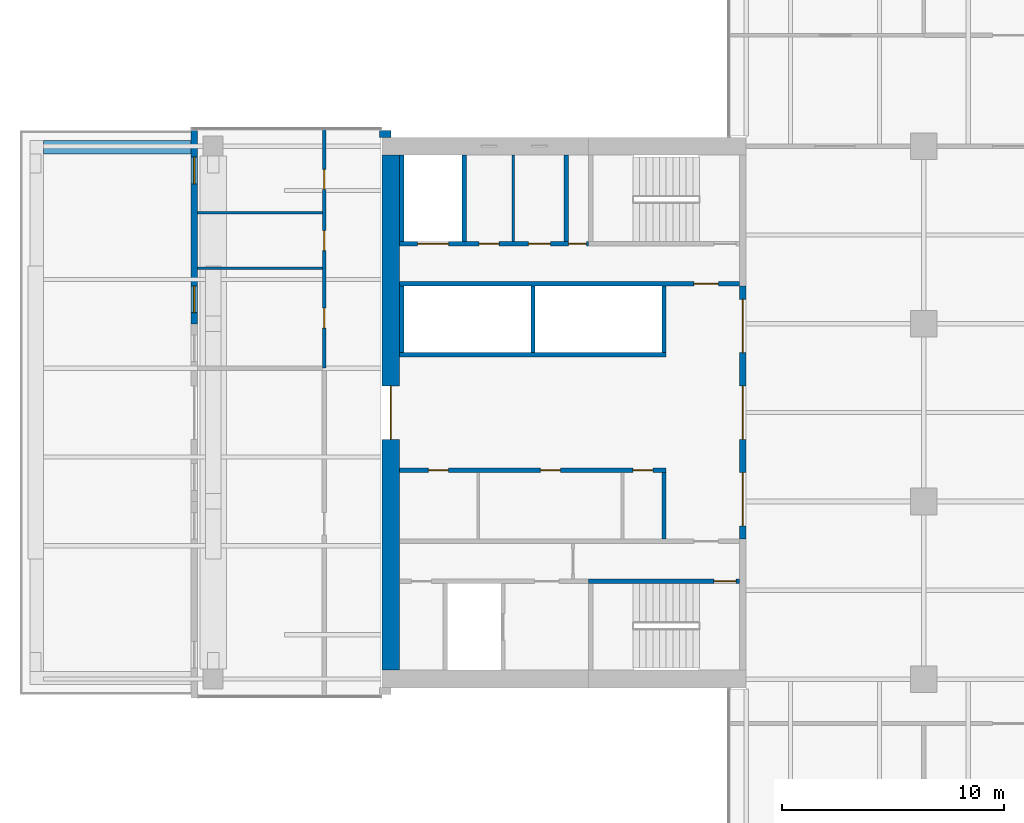
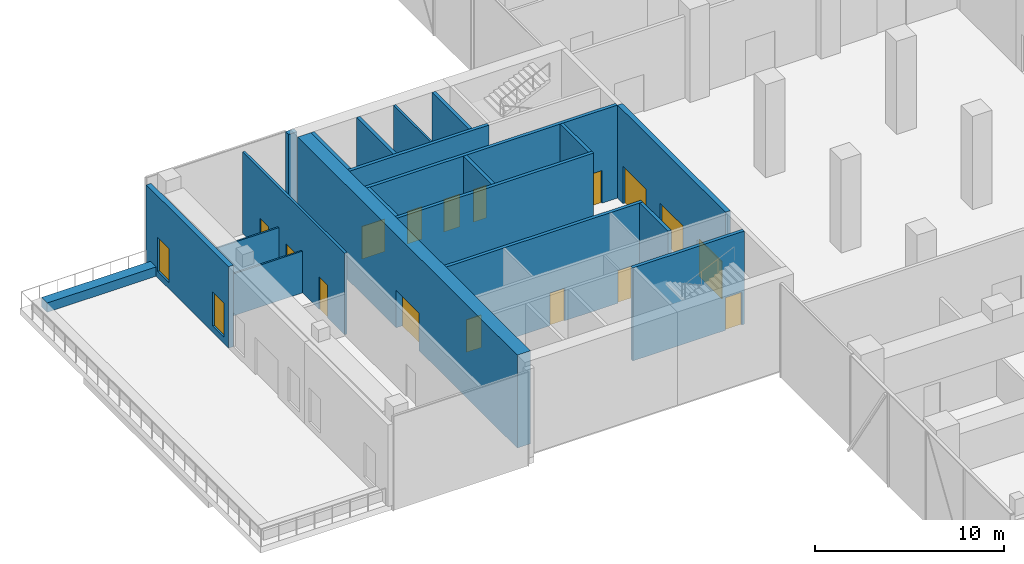
# One storey, part 15 of 23: 21 walls, 16 doors, 2 windows, 18 openings.
"""IFC4 building model written with IfcOpenShell, lengths in metres."""

from ifc_helpers import new_model, si_unit, direction, frame, frame_2d, origin, place, context, subcontext, project, spatial, rectangle, extrude, material, layer, layer_set, type_object, element, fill, save


model = new_model("IFC4")

# Units and contexts
model_context = context("Model", 3, precision=1e-05, world=origin(), true_north=direction((0.0, 1.0)))
body_context = subcontext(model_context, "Body", "Model", "MODEL_VIEW")
ifc_project = project(units=[si_unit("LENGTHUNIT", "METRE"), si_unit("AREAUNIT", "SQUARE_METRE"), si_unit("VOLUMEUNIT", "CUBIC_METRE"), si_unit("PLANEANGLEUNIT", "RADIAN"), si_unit("MASSUNIT", "GRAM", prefix="KILO")], contexts=[model_context])

# Site, building, storey
site_placement = place(None, origin())
site = spatial("IfcSite", under=ifc_project, at=site_placement, CompositionType="ELEMENT")
building_placement = place(site_placement, origin())
building = spatial("IfcBuilding", under=site, at=building_placement, Name="Crosswind Convention Tower", CompositionType="ELEMENT")
storey_placement = place(building_placement, frame((0.0, 0.0, 47.5)))
storey = spatial("IfcBuildingStorey", under=building, at=storey_placement, Name="L06", CompositionType="ELEMENT", Elevation=47.5)

# Wall
ifc_material_1 = material(Name="Concrete blockwork", Category="masonry")
ifc_layer_1 = layer(ifc_material_1, 0.199951171875)
ifc_layer_set_1 = layer_set([ifc_layer_1], Name="Blockwork partition wall 200")
wall_type_1 = type_object("IfcWallType", Name="Blockwork partition wall 200", PredefinedType="PARTITIONING", material=ifc_layer_set_1)
wall_1_placement = place(storey_placement, frame((104.89990234375, 111.60009765625, 0.0), z_axis=(0.0, 0.0, 1.0), x_axis=(0.0, -1.0, 0.0)))
element("IfcWall", 1, at=wall_1_placement, inside=storey, type_object=wall_type_1, Name="Wall MRSE W L06", PredefinedType="PARTITIONING", context=body_context, shape_type="SweptSolid", body=[
    extrude(rectangle(XDim=3.900146484375, YDim=0.199951171875, at=frame_2d((1.9501953125, 0.0))), origin(), (0.0, 0.0, 1.0), 6.0),
])

# Wall, openings, doors
ifc_material_2 = material(Name="Plasterboard partition", Category="gypsum")
ifc_layer_2 = layer(ifc_material_2, 0.14990234375)
ifc_layer_set_2 = layer_set([ifc_layer_2], Name="CORRIDOR WALL 150")
wall_type_2 = type_object("IfcWallType", Name="CORRIDOR WALL 150", PredefinedType="PARTITIONING", material=ifc_layer_set_2)
wall_2_placement = place(storey_placement, frame((94.0, 102.0, 0.0), z_axis=(0.0, 0.0, 1.0), x_axis=(0.0, 1.0, 0.0)))
wall_2 = element("IfcWall", 2, at=wall_2_placement, inside=storey, type_object=wall_type_2, Name="Corridor Wall 17", PredefinedType="PARTITIONING", context=body_context, shape_type="SweptSolid", body=[
    extrude(rectangle(XDim=10.800048828125, YDim=0.14990234375, at=frame_2d((5.39990234375, 0.0))), origin(), (0.0, 0.0, 1.0), 5.25634765625),
])
opening_1_placement = place(wall_2_placement, frame((1.800048828125, 0.0, 0.0)))
opening_1 = element("IfcOpeningElement", 3, at=opening_1_placement, cuts=wall_2, Name="Opening 06.019", PredefinedType="OPENING", context=body_context, shape_type="SweptSolid", body=[
    extrude(rectangle(XDim=0.89990234375, YDim=2.10009765625, at=frame_2d((0.449951171875, 1.050048828125))), frame((0.0, 0.0849609375, 0.0), z_axis=(0.0, -1.0, 0.0), x_axis=(1.0, 0.0, 0.0)), (0.0, 0.0, 1.0), 0.169921875),
])
opening_2_placement = place(wall_2_placement, frame((5.300048828125, 0.0, 0.0)))
opening_2 = element("IfcOpeningElement", 4, at=opening_2_placement, cuts=wall_2, Name="Opening 06.020", PredefinedType="OPENING", context=body_context, shape_type="SweptSolid", body=[
    extrude(rectangle(XDim=0.89990234375, YDim=2.10009765625, at=frame_2d((0.449951171875, 1.050048828125))), frame((0.0, 0.0849609375, 0.0), z_axis=(0.0, -1.0, 0.0), x_axis=(1.0, 0.0, 0.0)), (0.0, 0.0, 1.0), 0.169921875),
])
opening_3_placement = place(wall_2_placement, frame((8.050048828125, 0.0, 0.0)))
opening_3 = element("IfcOpeningElement", 5, at=opening_3_placement, cuts=wall_2, Name="Opening 06.021", PredefinedType="OPENING", context=body_context, shape_type="SweptSolid", body=[
    extrude(rectangle(XDim=0.89990234375, YDim=2.10009765625, at=frame_2d((0.449951171875, 1.050048828125))), frame((0.0, 0.0849609375, 0.0), z_axis=(0.0, -1.0, 0.0), x_axis=(1.0, 0.0, 0.0)), (0.0, 0.0, 1.0), 0.169921875),
])
ifc_material_3 = material(Name="Timber door", Category="wood")
door_type_1 = type_object("IfcDoorType", Name="WC DOOR 900X2100", OperationType="NOTDEFINED", PredefinedType="DOOR", material=ifc_material_3)
door_1_placement = place(opening_1_placement, origin())
door_1 = element("IfcDoor", 6, at=door_1_placement, inside=storey, type_object=door_type_1, Name="Door 06.019", ObjectType="D7", OperationType="SINGLE_SWING_RIGHT", OverallHeight=2.10009765625, OverallWidth=0.89990234375, PredefinedType="DOOR", context=body_context, shape_type="SweptSolid", body=[
    extrude(rectangle(XDim=0.89990234375, YDim=2.10009765625, at=frame_2d((0.449951171875, 1.050048828125))), frame((0.0, 0.02490234375, 0.0), z_axis=(0.0, -1.0, 0.0), x_axis=(1.0, 0.0, 0.0)), (0.0, 0.0, 1.0), 0.050048828125),
])
fill(opening_1, door_1)
door_2_placement = place(opening_2_placement, origin())
door_2 = element("IfcDoor", 7, at=door_2_placement, inside=storey, type_object=door_type_1, Name="Door 06.020", ObjectType="D7", OperationType="SINGLE_SWING_RIGHT", OverallHeight=2.10009765625, OverallWidth=0.89990234375, PredefinedType="DOOR", context=body_context, shape_type="SweptSolid", body=[
    extrude(rectangle(XDim=0.89990234375, YDim=2.10009765625, at=frame_2d((0.449951171875, 1.050048828125))), frame((0.0, 0.02490234375, 0.0), z_axis=(0.0, -1.0, 0.0), x_axis=(1.0, 0.0, 0.0)), (0.0, 0.0, 1.0), 0.050048828125),
])
fill(opening_2, door_2)
door_3_placement = place(opening_3_placement, origin())
door_3 = element("IfcDoor", 8, at=door_3_placement, inside=storey, type_object=door_type_1, Name="Door 06.021", ObjectType="D7", OperationType="SINGLE_SWING_LEFT", OverallHeight=2.10009765625, OverallWidth=0.89990234375, PredefinedType="DOOR", context=body_context, shape_type="SweptSolid", body=[
    extrude(rectangle(XDim=0.89990234375, YDim=2.10009765625, at=frame_2d((0.449951171875, 1.050048828125))), frame((0.0, 0.02490234375, 0.0), z_axis=(0.0, -1.0, 0.0), x_axis=(1.0, 0.0, 0.0)), (0.0, 0.0, 1.0), 0.050048828125),
])
fill(opening_3, door_3)

# Wall, opening, door
ifc_material_4 = material(Name="Concrete C60/75", Category="concrete")
ifc_layer_3 = layer(ifc_material_4, 0.800048828125)
ifc_layer_set_3 = layer_set([ifc_layer_3], Name="Concrete C60/75")
wall_type_3 = type_object("IfcWallType", Name="Concrete core wall 800", PredefinedType="SHEAR", material=ifc_layer_set_3)
wall_3_placement = place(storey_placement, frame((97.0, 111.60009765625, 0.0), z_axis=(0.0, 0.0, 1.0), x_axis=(0.0, -1.0, 0.0)))
wall_3 = element("IfcWall", 9, at=wall_3_placement, inside=storey, type_object=wall_type_3, Name="Wall O W L06", PredefinedType="SHEAR", context=body_context, shape_type="SweptSolid", body=[
    extrude(rectangle(XDim=23.2001953125, YDim=0.800048828125, at=frame_2d((11.60009765625, 0.0))), origin(), (0.0, 0.0, 1.0), 6.0),
])
opening_4_placement = place(wall_3_placement, frame((10.39990234375, 0.0, 0.0)))
opening_4 = element("IfcOpeningElement", 10, at=opening_4_placement, cuts=wall_3, Name="Opening D100", PredefinedType="OPENING", context=body_context, shape_type="SweptSolid", body=[
    extrude(rectangle(XDim=2.39990234375, YDim=2.39990234375, at=frame_2d((1.199951171875, 1.199951171875))), frame((0.0, 0.409912109375, 0.0), z_axis=(0.0, -1.0, 0.0), x_axis=(1.0, 0.0, 0.0)), (0.0, 0.0, 1.0), 0.820068359375),
])
ifc_material_5 = material(Name="Steel fire door with glazed vision panels", Category="steel")
door_type_2 = type_object("IfcDoorType", Name="Fire-rated double door 2400x2400", OperationType="DOUBLE_DOOR_SINGLE_SWING", PredefinedType="DOOR", material=ifc_material_5)
door_4_placement = place(opening_4_placement, origin())
door_4 = element("IfcDoor", 11, at=door_4_placement, inside=storey, type_object=door_type_2, Name="Lobby outer door L06", ObjectType="D100", OperationType="DOUBLE_DOOR_SINGLE_SWING", OverallHeight=2.39990234375, OverallWidth=2.39990234375, PredefinedType="DOOR", context=body_context, shape_type="SweptSolid", body=[
    extrude(rectangle(XDim=2.39990234375, YDim=2.39990234375, at=frame_2d((1.199951171875, 1.199951171875))), frame((0.0, 0.02490234375, 0.0), z_axis=(0.0, -1.0, 0.0), x_axis=(1.0, 0.0, 0.0)), (0.0, 0.0, 1.0), 0.050048828125),
])
fill(opening_4, door_4)

# Wall, openings, doors
ifc_material_6 = material(Name="Concrete C50/60", Category="concrete")
ifc_layer_4 = layer(ifc_material_6, 0.300048828125)
ifc_layer_set_4 = layer_set([ifc_layer_4], Name="Concrete C50/60")
wall_type_4 = type_object("IfcWallType", Name="Concrete inner core wall 300", PredefinedType="SHEAR", material=ifc_layer_set_4)
wall_4_placement = place(storey_placement, frame((112.85009765625, 105.699951171875, 0.0), z_axis=(0.0, 0.0, 1.0), x_axis=(0.0, -1.0, 0.0)))
wall_4 = element("IfcWall", 12, at=wall_4_placement, inside=storey, type_object=wall_type_4, Name="Wall SCR W L06", PredefinedType="SHEAR", context=body_context, shape_type="SweptSolid", body=[
    extrude(rectangle(XDim=11.39990234375, YDim=0.300048828125, at=frame_2d((5.699951171875, 0.0))), origin(), (0.0, 0.0, 1.0), 6.0),
])
opening_5_placement = place(wall_4_placement, frame((0.60009765625, 0.0, 0.0)))
opening_5 = element("IfcOpeningElement", 13, at=opening_5_placement, cuts=wall_4, Name="Opening D100", PredefinedType="OPENING", context=body_context, shape_type="SweptSolid", body=[
    extrude(rectangle(XDim=2.39990234375, YDim=2.39990234375, at=frame_2d((1.199951171875, 1.199951171875))), frame((0.0, 0.159912109375, 0.0), z_axis=(0.0, -1.0, 0.0), x_axis=(1.0, 0.0, 0.0)), (0.0, 0.0, 1.0), 0.320068359375),
])
opening_6_placement = place(wall_4_placement, frame((4.5, 0.0, 0.0)))
opening_6 = element("IfcOpeningElement", 14, at=opening_6_placement, cuts=wall_4, Name="Opening D100", PredefinedType="OPENING", context=body_context, shape_type="SweptSolid", body=[
    extrude(rectangle(XDim=2.39990234375, YDim=2.39990234375, at=frame_2d((1.199951171875, 1.199951171875))), frame((0.0, 0.159912109375, 0.0), z_axis=(0.0, -1.0, 0.0), x_axis=(1.0, 0.0, 0.0)), (0.0, 0.0, 1.0), 0.320068359375),
])
opening_7_placement = place(wall_4_placement, frame((8.39990234375, 0.0, 0.0)))
opening_7 = element("IfcOpeningElement", 15, at=opening_7_placement, cuts=wall_4, Name="Opening D100", PredefinedType="OPENING", context=body_context, shape_type="SweptSolid", body=[
    extrude(rectangle(XDim=2.39990234375, YDim=2.39990234375, at=frame_2d((1.199951171875, 1.199951171875))), frame((0.0, 0.159912109375, 0.0), z_axis=(0.0, -1.0, 0.0), x_axis=(1.0, 0.0, 0.0)), (0.0, 0.0, 1.0), 0.320068359375),
])
door_5_placement = place(opening_5_placement, origin())
door_5 = element("IfcDoor", 16, at=door_5_placement, inside=storey, type_object=door_type_2, Name="Lobby door 1 L06", ObjectType="D100", OperationType="DOUBLE_DOOR_SINGLE_SWING", OverallHeight=2.39990234375, OverallWidth=2.39990234375, PredefinedType="DOOR", context=body_context, shape_type="SweptSolid", body=[
    extrude(rectangle(XDim=2.39990234375, YDim=2.39990234375, at=frame_2d((1.199951171875, 1.199951171875))), frame((0.0, 0.02490234375, 0.0), z_axis=(0.0, -1.0, 0.0), x_axis=(1.0, 0.0, 0.0)), (0.0, 0.0, 1.0), 0.050048828125),
])
fill(opening_5, door_5)
door_6_placement = place(opening_6_placement, origin())
door_6 = element("IfcDoor", 17, at=door_6_placement, inside=storey, type_object=door_type_2, Name="Lobby door 2 L06", ObjectType="D100", OperationType="DOUBLE_DOOR_SINGLE_SWING", OverallHeight=2.39990234375, OverallWidth=2.39990234375, PredefinedType="DOOR", context=body_context, shape_type="SweptSolid", body=[
    extrude(rectangle(XDim=2.39990234375, YDim=2.39990234375, at=frame_2d((1.199951171875, 1.199951171875))), frame((0.0, 0.02490234375, 0.0), z_axis=(0.0, -1.0, 0.0), x_axis=(1.0, 0.0, 0.0)), (0.0, 0.0, 1.0), 0.050048828125),
])
fill(opening_6, door_6)
door_7_placement = place(opening_7_placement, origin())
door_7 = element("IfcDoor", 18, at=door_7_placement, inside=storey, type_object=door_type_2, Name="Lobby door 3 L06", ObjectType="D100", OperationType="DOUBLE_DOOR_SINGLE_SWING", OverallHeight=2.39990234375, OverallWidth=2.39990234375, PredefinedType="DOOR", context=body_context, shape_type="SweptSolid", body=[
    extrude(rectangle(XDim=2.39990234375, YDim=2.39990234375, at=frame_2d((1.199951171875, 1.199951171875))), frame((0.0, 0.02490234375, 0.0), z_axis=(0.0, -1.0, 0.0), x_axis=(1.0, 0.0, 0.0)), (0.0, 0.0, 1.0), 0.050048828125),
])
fill(opening_7, door_7)

# Wall
ifc_layer_5 = layer(ifc_material_6, 0.199951171875)
ifc_layer_set_5 = layer_set([ifc_layer_5], Name="Concrete C50/60")
wall_type_5 = type_object("IfcWallType", Name="Concrete shaft and stair wall 200", PredefinedType="SHEAR", material=ifc_layer_set_5)
wall_5_placement = place(storey_placement, frame((109.300048828125, 97.300048828125, 0.0), z_axis=(0.0, 0.0, 1.0), x_axis=(0.0, -1.0, 0.0)))
element("IfcWall", 19, at=wall_5_placement, inside=storey, type_object=wall_type_5, Name="Wall RPEND W L06", PredefinedType="SHEAR", context=body_context, shape_type="SweptSolid", body=[
    extrude(rectangle(XDim=3.0, YDim=0.199951171875, at=frame_2d((1.5, 0.0))), origin(), (0.0, 0.0, 1.0), 6.0),
])

# Wall, openings, doors
wall_6_placement = place(storey_placement, frame((109.39990234375, 97.39990234375, 0.0), z_axis=(0.0, 0.0, 1.0), x_axis=(-1.0, 0.0, 0.0)))
wall_6 = element("IfcWall", 20, at=wall_6_placement, inside=storey, type_object=wall_type_5, Name="Wall RPFRONT W L06", PredefinedType="SHEAR", context=body_context, shape_type="SweptSolid", body=[
    extrude(rectangle(XDim=12.0, YDim=0.199951171875, at=frame_2d((6.0, 0.0))), origin(), (0.0, 0.0, 1.0), 6.0),
])
opening_8_placement = place(wall_6_placement, frame((0.603759765625, 0.0, 0.0)))
opening_8 = element("IfcOpeningElement", 21, at=opening_8_placement, cuts=wall_6, Name="Opening D106", PredefinedType="OPENING", context=body_context, shape_type="SweptSolid", body=[
    extrude(rectangle(XDim=0.89990234375, YDim=2.10009765625, at=frame_2d((0.449951171875, 1.050048828125))), frame((0.0, 0.10986328125, 0.0), z_axis=(0.0, -1.0, 0.0), x_axis=(1.0, 0.0, 0.0)), (0.0, 0.0, 1.0), 0.219970703125),
])
opening_9_placement = place(wall_6_placement, frame((4.764892578125, 0.0, 0.0)))
opening_9 = element("IfcOpeningElement", 22, at=opening_9_placement, cuts=wall_6, Name="Opening D106", PredefinedType="OPENING", context=body_context, shape_type="SweptSolid", body=[
    extrude(rectangle(XDim=0.89990234375, YDim=2.10009765625, at=frame_2d((0.449951171875, 1.050048828125))), frame((0.0, 0.10986328125, 0.0), z_axis=(0.0, -1.0, 0.0), x_axis=(1.0, 0.0, 0.0)), (0.0, 0.0, 1.0), 0.219970703125),
])
opening_10_placement = place(wall_6_placement, frame((9.811279296875, 0.0, 0.0)))
opening_10 = element("IfcOpeningElement", 23, at=opening_10_placement, cuts=wall_6, Name="Opening D106", PredefinedType="OPENING", context=body_context, shape_type="SweptSolid", body=[
    extrude(rectangle(XDim=0.89990234375, YDim=2.10009765625, at=frame_2d((0.449951171875, 1.050048828125))), frame((0.0, 0.10986328125, 0.0), z_axis=(0.0, -1.0, 0.0), x_axis=(1.0, 0.0, 0.0)), (0.0, 0.0, 1.0), 0.219970703125),
])
door_type_3 = type_object("IfcDoorType", Name="Single leaf door 900x2100", OperationType="NOTDEFINED", PredefinedType="DOOR", material=ifc_material_3)
door_8_placement = place(opening_8_placement, origin())
door_8 = element("IfcDoor", 24, at=door_8_placement, inside=storey, type_object=door_type_3, Name="Door to concierge room L06", ObjectType="D106", OperationType="SINGLE_SWING_RIGHT", OverallHeight=2.10009765625, OverallWidth=0.89990234375, PredefinedType="DOOR", context=body_context, shape_type="SweptSolid", body=[
    extrude(rectangle(XDim=0.89990234375, YDim=2.10009765625, at=frame_2d((0.449951171875, 1.050048828125))), frame((0.0, 0.02490234375, 0.0), z_axis=(0.0, -1.0, 0.0), x_axis=(1.0, 0.0, 0.0)), (0.0, 0.0, 1.0), 0.050048828125),
])
fill(opening_8, door_8)
door_9_placement = place(opening_9_placement, origin())
door_9 = element("IfcDoor", 25, at=door_9_placement, inside=storey, type_object=door_type_3, Name="Door to meeting room L06", ObjectType="D106", OperationType="SINGLE_SWING_RIGHT", OverallHeight=2.10009765625, OverallWidth=0.89990234375, PredefinedType="DOOR", context=body_context, shape_type="SweptSolid", body=[
    extrude(rectangle(XDim=0.89990234375, YDim=2.10009765625, at=frame_2d((0.449951171875, 1.050048828125))), frame((0.0, 0.02490234375, 0.0), z_axis=(0.0, -1.0, 0.0), x_axis=(1.0, 0.0, 0.0)), (0.0, 0.0, 1.0), 0.050048828125),
])
fill(opening_9, door_9)
door_10_placement = place(opening_10_placement, origin())
door_10 = element("IfcDoor", 26, at=door_10_placement, inside=storey, type_object=door_type_3, Name="Door to luggage room L06", ObjectType="D106", OperationType="SINGLE_SWING_RIGHT", OverallHeight=2.10009765625, OverallWidth=0.89990234375, PredefinedType="DOOR", context=body_context, shape_type="SweptSolid", body=[
    extrude(rectangle(XDim=0.89990234375, YDim=2.10009765625, at=frame_2d((0.449951171875, 1.050048828125))), frame((0.0, 0.02490234375, 0.0), z_axis=(0.0, -1.0, 0.0), x_axis=(1.0, 0.0, 0.0)), (0.0, 0.0, 1.0), 0.050048828125),
])
fill(opening_10, door_10)

# Walls
for number, where, z_axis, x_axis, name in (
    (27, (109.300048828125, 105.699951171875, 0.0), (0.0, 0.0, 1.0), (0.0, -1.0, 0.0), "Wall RMEND W L06"),
    (28, (103.39990234375, 105.699951171875, 0.0), (0.0, 0.0, 1.0), (0.0, -1.0, 0.0), "Wall RMSEP W L06"),
    (29, (97.5, 105.699951171875, 0.0), (0.0, 0.0, 1.0), (0.0, -1.0, 0.0), "Wall RMEAST W L06"),
):
    element("IfcWall", number, at=place(storey_placement, frame(where, z_axis=z_axis, x_axis=x_axis)), inside=storey, type_object=wall_type_5, Name=name, PredefinedType="SHEAR", context=body_context, shape_type="SweptSolid", body=[
        extrude(rectangle(XDim=3.0, YDim=0.199951171875, at=frame_2d((1.5, 0.0))), origin(), (0.0, 0.0, 1.0), 6.0),
    ])
wall_7_placement = place(storey_placement, frame((109.39990234375, 102.60009765625, 0.0), z_axis=(0.0, 0.0, 1.0), x_axis=(-1.0, 0.0, 0.0)))
element("IfcWall", 30, at=wall_7_placement, inside=storey, type_object=wall_type_5, Name="Wall RMFRONT W L06", PredefinedType="SHEAR", context=body_context, shape_type="SweptSolid", body=[
    extrude(rectangle(XDim=12.0, YDim=0.199951171875, at=frame_2d((6.0, 0.0))), origin(), (0.0, 0.0, 1.0), 6.0),
])

# Wall, opening, door
wall_8_placement = place(storey_placement, frame((112.699951171875, 92.39990234375, 0.0), z_axis=(0.0, 0.0, 1.0), x_axis=(-1.0, 0.0, 0.0)))
wall_8 = element("IfcWall", 31, at=wall_8_placement, inside=storey, type_object=wall_type_5, Name="Wall PCW W L06", PredefinedType="SHEAR", context=body_context, shape_type="SweptSolid", body=[
    extrude(rectangle(XDim=6.800048828125, YDim=0.199951171875, at=frame_2d((3.39990234375, 0.0))), origin(), (0.0, 0.0, 1.0), 6.0),
])
opening_11_placement = place(wall_8_placement, frame((0.14990234375, 0.0, 0.0)))
opening_11 = element("IfcOpeningElement", 32, at=opening_11_placement, cuts=wall_8, Name="Opening D103", PredefinedType="OPENING", context=body_context, shape_type="SweptSolid", body=[
    extrude(rectangle(XDim=1.0, YDim=2.10009765625, at=frame_2d((0.5, 1.050048828125))), frame((0.0, 0.10986328125, 0.0), z_axis=(0.0, -1.0, 0.0), x_axis=(1.0, 0.0, 0.0)), (0.0, 0.0, 1.0), 0.219970703125),
])
ifc_material_7 = material(Name="Steel fire door", Category="steel")
door_type_4 = type_object("IfcDoorType", Name="Fire-rated single door 1000x2100", OperationType="NOTDEFINED", PredefinedType="DOOR", material=ifc_material_7)
door_11_placement = place(opening_11_placement, origin())
door_11 = element("IfcDoor", 33, at=door_11_placement, inside=storey, type_object=door_type_4, Name="Stair ST3 door L06", ObjectType="D103", OperationType="SINGLE_SWING_LEFT", OverallHeight=2.10009765625, OverallWidth=1.0, PredefinedType="DOOR", context=body_context, shape_type="SweptSolid", body=[
    extrude(rectangle(XDim=1.0, YDim=2.10009765625, at=frame_2d((0.5, 1.050048828125))), frame((0.0, 0.02490234375, 0.0), z_axis=(0.0, -1.0, 0.0), x_axis=(1.0, 0.0, 0.0)), (0.0, 0.0, 1.0), 0.050048828125),
])
fill(opening_11, door_11)

wall_9_placement = place(storey_placement, frame((112.699951171875, 105.800048828125, 0.0), z_axis=(0.0, 0.0, 1.0), x_axis=(-1.0, 0.0, 0.0)))
wall_9 = element("IfcWall", 34, at=wall_9_placement, inside=storey, type_object=wall_type_5, Name="Wall HM W L06", PredefinedType="SHEAR", context=body_context, shape_type="SweptSolid", body=[
    extrude(rectangle(XDim=15.300048828125, YDim=0.199951171875, at=frame_2d((7.64990234375, 0.0))), origin(), (0.0, 0.0, 1.0), 6.0),
])
opening_12_placement = place(wall_9_placement, frame((0.949951171875, 0.0, 0.0)))
opening_12 = element("IfcOpeningElement", 35, at=opening_12_placement, cuts=wall_9, Name="Opening D104", PredefinedType="OPENING", context=body_context, shape_type="SweptSolid", body=[
    extrude(rectangle(XDim=1.10009765625, YDim=2.10009765625, at=frame_2d((0.550048828125, 1.050048828125))), frame((0.0, 0.10986328125, 0.0), z_axis=(0.0, -1.0, 0.0), x_axis=(1.0, 0.0, 0.0)), (0.0, 0.0, 1.0), 0.219970703125),
])
door_type_5 = type_object("IfcDoorType", Name="Fire-rated single door 1100x2100", OperationType="NOTDEFINED", PredefinedType="DOOR", material=ifc_material_7)
door_12_placement = place(opening_12_placement, origin())
door_12 = element("IfcDoor", 36, at=door_12_placement, inside=storey, type_object=door_type_5, Name="Corridor door L06", ObjectType="D104", OperationType="SINGLE_SWING_LEFT", OverallHeight=2.10009765625, OverallWidth=1.10009765625, PredefinedType="DOOR", context=body_context, shape_type="SweptSolid", body=[
    extrude(rectangle(XDim=1.10009765625, YDim=2.10009765625, at=frame_2d((0.550048828125, 1.050048828125))), frame((0.0, 0.02490234375, 0.0), z_axis=(0.0, -1.0, 0.0), x_axis=(1.0, 0.0, 0.0)), (0.0, 0.0, 1.0), 0.050048828125),
])
fill(opening_12, door_12)

# Walls
for number, where, z_axis, x_axis, name in (
    (37, (100.300048828125, 111.60009765625, 0.0), (0.0, 0.0, 1.0), (0.0, -1.0, 0.0), "Wall MFSW W L06"),
    (38, (97.5, 111.60009765625, 0.0), (0.0, 0.0, 1.0), (0.0, -1.0, 0.0), "Wall MFSE W L06"),
):
    element("IfcWall", number, at=place(storey_placement, frame(where, z_axis=z_axis, x_axis=x_axis)), inside=storey, type_object=wall_type_5, Name=name, PredefinedType="SHEAR", context=body_context, shape_type="SweptSolid", body=[
        extrude(rectangle(XDim=3.900146484375, YDim=0.199951171875, at=frame_2d((1.9501953125, 0.0))), origin(), (0.0, 0.0, 1.0), 6.0),
    ])

# Wall, openings, doors
wall_10_placement = place(storey_placement, frame((105.89990234375, 107.60009765625, 0.0), z_axis=(0.0, 0.0, 1.0), x_axis=(-1.0, 0.0, 0.0)))
wall_10 = element("IfcWall", 39, at=wall_10_placement, inside=storey, type_object=wall_type_5, Name="Wall MCX W L06", PredefinedType="SHEAR", context=body_context, shape_type="SweptSolid", body=[
    extrude(rectangle(XDim=8.5, YDim=0.199951171875, at=frame_2d((4.25, 0.0))), origin(), (0.0, 0.0, 1.0), 6.0),
])
opening_13_placement = place(wall_10_placement, frame((0.10009765625, 0.0, 0.0)))
opening_13 = element("IfcOpeningElement", 40, at=opening_13_placement, cuts=wall_10, Name="Opening D105", PredefinedType="OPENING", context=body_context, shape_type="SweptSolid", body=[
    extrude(rectangle(XDim=0.800048828125, YDim=2.10009765625, at=frame_2d((0.39990234375, 1.050048828125))), frame((0.0, 0.10986328125, 0.0), z_axis=(0.0, -1.0, 0.0), x_axis=(1.0, 0.0, 0.0)), (0.0, 0.0, 1.0), 0.219970703125),
])
opening_14_placement = place(wall_10_placement, frame((1.712646484375, 0.0, 0.0)))
opening_14 = element("IfcOpeningElement", 41, at=opening_14_placement, cuts=wall_10, Name="Opening D103", PredefinedType="OPENING", context=body_context, shape_type="SweptSolid", body=[
    extrude(rectangle(XDim=1.0, YDim=2.10009765625, at=frame_2d((0.5, 1.050048828125))), frame((0.0, 0.10986328125, 0.0), z_axis=(0.0, -1.0, 0.0), x_axis=(1.0, 0.0, 0.0)), (0.0, 0.0, 1.0), 0.219970703125),
])
opening_15_placement = place(wall_10_placement, frame((4.025146484375, 0.0, 0.0)))
opening_15 = element("IfcOpeningElement", 42, at=opening_15_placement, cuts=wall_10, Name="Opening D106", PredefinedType="OPENING", context=body_context, shape_type="SweptSolid", body=[
    extrude(rectangle(XDim=0.89990234375, YDim=2.10009765625, at=frame_2d((0.449951171875, 1.050048828125))), frame((0.0, 0.10986328125, 0.0), z_axis=(0.0, -1.0, 0.0), x_axis=(1.0, 0.0, 0.0)), (0.0, 0.0, 1.0), 0.219970703125),
])
opening_16_placement = place(wall_10_placement, frame((6.300048828125, 0.0, 0.0)))
opening_16 = element("IfcOpeningElement", 43, at=opening_16_placement, cuts=wall_10, Name="Opening LD2", PredefinedType="OPENING", context=body_context, shape_type="SweptSolid", body=[
    extrude(rectangle(XDim=1.39990234375, YDim=2.10009765625, at=frame_2d((0.699951171875, 1.050048828125))), frame((0.0, 0.10986328125, 0.0), z_axis=(0.0, -1.0, 0.0), x_axis=(1.0, 0.0, 0.0)), (0.0, 0.0, 1.0), 0.219970703125),
])
door_13_placement = place(opening_14_placement, frame((1.0, 0.0, 0.0), z_axis=(0.0, 0.0, 1.0), x_axis=(-1.0, 0.0, 0.0)))
door_13 = element("IfcDoor", 44, at=door_13_placement, inside=storey, type_object=door_type_4, Name="Door to accessible wc L06", ObjectType="D103", OperationType="SINGLE_SWING_LEFT", OverallHeight=2.10009765625, OverallWidth=1.0, PredefinedType="DOOR", context=body_context, shape_type="SweptSolid", body=[
    extrude(rectangle(XDim=1.0, YDim=2.10009765625, at=frame_2d((0.5, 1.050048828125))), frame((0.0, 0.02490234375, 0.0), z_axis=(0.0, -1.0, 0.0), x_axis=(1.0, 0.0, 0.0)), (0.0, 0.0, 1.0), 0.050048828125),
])
fill(opening_14, door_13)
ifc_material_8 = material(Name="Stainless steel", Category="steel")
door_type_6 = type_object("IfcDoorType", Name="Lift landing door 1400x2100", OperationType="DOUBLE_DOOR_SLIDING", PredefinedType="DOOR", material=ifc_material_8)
door_14_placement = place(opening_16_placement, origin())
door_14 = element("IfcDoor", 45, at=door_14_placement, inside=storey, type_object=door_type_6, Name="Landing door SV2 L06", ObjectType="LD2", OperationType="DOUBLE_DOOR_SLIDING", OverallHeight=2.10009765625, OverallWidth=1.39990234375, PredefinedType="DOOR", context=body_context, shape_type="SweptSolid", body=[
    extrude(rectangle(XDim=1.39990234375, YDim=2.10009765625, at=frame_2d((0.699951171875, 1.050048828125))), frame((0.0, 0.02490234375, 0.0), z_axis=(0.0, -1.0, 0.0), x_axis=(1.0, 0.0, 0.0)), (0.0, 0.0, 1.0), 0.050048828125),
])
fill(opening_16, door_14)
door_type_7 = type_object("IfcDoorType", Name="Riser access door 800x2100", OperationType="NOTDEFINED", PredefinedType="DOOR", material=ifc_material_7)
door_15_placement = place(opening_13_placement, frame((0.800048828125, 0.0, 0.0), z_axis=(0.0, 0.0, 1.0), x_axis=(-1.0, 0.0, 0.0)))
door_15 = element("IfcDoor", 46, at=door_15_placement, inside=storey, type_object=door_type_7, Name="Riser door L06", ObjectType="D105", OperationType="SINGLE_SWING_LEFT", OverallHeight=2.10009765625, OverallWidth=0.800048828125, PredefinedType="DOOR", context=body_context, shape_type="SweptSolid", body=[
    extrude(rectangle(XDim=0.800048828125, YDim=2.10009765625, at=frame_2d((0.39990234375, 1.050048828125))), frame((0.0, 0.02490234375, 0.0), z_axis=(0.0, -1.0, 0.0), x_axis=(1.0, 0.0, 0.0)), (0.0, 0.0, 1.0), 0.050048828125),
])
fill(opening_13, door_15)
door_16_placement = place(opening_15_placement, frame((0.89990234375, 0.0, 0.0), z_axis=(0.0, 0.0, 1.0), x_axis=(-1.0, 0.0, 0.0)))
door_16 = element("IfcDoor", 47, at=door_16_placement, inside=storey, type_object=door_type_3, Name="Door to wc L06", ObjectType="D106", OperationType="SINGLE_SWING_LEFT", OverallHeight=2.10009765625, OverallWidth=0.89990234375, PredefinedType="DOOR", context=body_context, shape_type="SweptSolid", body=[
    extrude(rectangle(XDim=0.89990234375, YDim=2.10009765625, at=frame_2d((0.449951171875, 1.050048828125))), frame((0.0, 0.02490234375, 0.0), z_axis=(0.0, -1.0, 0.0), x_axis=(1.0, 0.0, 0.0)), (0.0, 0.0, 1.0), 0.050048828125),
])
fill(opening_15, door_16)

# Walls
ifc_material_9 = material(Name="Gypsum plasterboard partition", Category="gypsum")
ifc_layer_6 = layer(ifc_material_9, 0.125)
ifc_layer_set_6 = layer_set([ifc_layer_6], Name="Drywall partition wall 125")
wall_type_6 = type_object("IfcWallType", Name="Drywall partition wall 125", PredefinedType="PARTITIONING", material=ifc_layer_set_6)
wall_11_placement = place(storey_placement, frame((102.511962890625, 111.60009765625, 0.0), z_axis=(0.0, 0.0, 1.0), x_axis=(0.0, -1.0, 0.0)))
element("IfcWall", 48, at=wall_11_placement, inside=storey, type_object=wall_type_6, Name="Wall MWP1 W L06", PredefinedType="PARTITIONING", context=body_context, shape_type="SweptSolid", body=[
    extrude(rectangle(XDim=3.900146484375, YDim=0.125, at=frame_2d((1.9501953125, 0.0))), origin(), (0.0, 0.0, 1.0), 6.0),
])
ifc_layer_7 = layer(ifc_material_2, 0.10009765625)
ifc_layer_set_7 = layer_set([ifc_layer_7], Name="PARTITION 100")
wall_type_7 = type_object("IfcWallType", Name="PARTITION 100", PredefinedType="PARTITIONING", material=ifc_layer_set_7)
for number, where, z_axis, x_axis, name in (
    (49, (88.300048828125, 106.5, 0.0), (0.0, 0.0, 1.0), (1.0, 0.0, 0.0), "Partition 8"),
    (50, (88.300048828125, 109.0, 0.0), (0.0, 0.0, 1.0), (1.0, 0.0, 0.0), "Partition 9"),
):
    element("IfcWall", number, at=place(storey_placement, frame(where, z_axis=z_axis, x_axis=x_axis)), inside=storey, type_object=wall_type_7, Name=name, PredefinedType="PARTITIONING", context=body_context, shape_type="SweptSolid", body=[
        extrude(rectangle(XDim=5.625, YDim=0.10009765625, at=frame_2d((2.8125, 0.0))), origin(), (0.0, 0.0, 1.0), 2.699951171875),
    ])
ifc_material_10 = material(Name="Concrete C30/37", Category="concrete")
ifc_layer_8 = layer(ifc_material_10, 0.60009765625)
ifc_layer_set_8 = layer_set([ifc_layer_8], Name="Concrete C30/37")
wall_type_8 = type_object("IfcWallType", Name="PLANTER BOX WALL 600", PredefinedType="SOLIDWALL", material=ifc_layer_set_8)
wall_12_placement = place(storey_placement, frame((81.35009765625, 111.949951171875, 0.0), z_axis=(0.0, 0.0, 1.0), x_axis=(1.0, 0.0, 0.0)))
element("IfcWall", 51, at=wall_12_placement, inside=storey, type_object=wall_type_8, Name="PLANTER L06 W 3", PredefinedType="SOLIDWALL", context=body_context, shape_type="SweptSolid", body=[
    extrude(rectangle(XDim=6.64990234375, YDim=0.60009765625, at=frame_2d((3.324951171875, 0.0))), origin(), (0.0, 0.0, 1.0), 0.60009765625),
])
ifc_material_11 = material(Name="Terracotta rainscreen", Category="ceramic")
ifc_layer_9 = layer(ifc_material_11, 0.02001953125)
ifc_material_12 = material(Name="Mineral wool insulation", Category="insulation")
ifc_layer_10 = layer(ifc_material_12, 0.10009765625)
ifc_layer_11 = layer(ifc_material_1, 0.199951171875)
ifc_layer_set_9 = layer_set([ifc_layer_9, ifc_layer_10, ifc_layer_11], Name="TERRACOTTA CORNER INFILL WALL 320")
wall_type_9 = type_object("IfcWallType", Name="TERRACOTTA CORNER INFILL WALL 320", PredefinedType="SOLIDWALL", material=ifc_layer_set_9)
wall_13_placement = place(storey_placement, frame((96.4951171875, 112.5400390625, 0.0), z_axis=(0.0, 0.0, 1.0), x_axis=(1.0, 0.0, 0.0)))
element("IfcWall", 52, at=wall_13_placement, inside=storey, type_object=wall_type_9, Name="Core corner infill wall L06 2", PredefinedType="SOLIDWALL", context=body_context, shape_type="SweptSolid", body=[
    extrude(rectangle(XDim=0.5048828125, YDim=0.320068359375, at=frame_2d((0.25244140625, 0.0))), origin(), (0.0, 0.0, 1.0), 5.719970703125),
])

# Wall, openings, windows
ifc_layer_12 = layer(ifc_material_11, 0.02001953125)
ifc_layer_13 = layer(ifc_material_12, 0.10009765625)
ifc_layer_14 = layer(ifc_material_1, 0.179931640625)
ifc_layer_set_10 = layer_set([ifc_layer_12, ifc_layer_13, ifc_layer_14], Name="TERRACOTTA INFILL WALL 300")
wall_type_10 = type_object("IfcWallType", Name="TERRACOTTA INFILL WALL 300", PredefinedType="SOLIDWALL", material=ifc_layer_set_10)
wall_14_placement = place(storey_placement, frame((88.14990234375, 112.699951171875, 0.0), z_axis=(0.0, 0.0, 1.0), x_axis=(0.0, -1.0, 0.0)))
wall_14 = element("IfcWall", 53, at=wall_14_placement, inside=storey, type_object=wall_type_10, Name="Terrace front wall L06 W-TIP.1-1", PredefinedType="SOLIDWALL", context=body_context, shape_type="SweptSolid", body=[
    extrude(rectangle(XDim=8.699951171875, YDim=0.300048828125, at=frame_2d((4.35009765625, 0.0))), origin(), (0.0, 0.0, 1.0), 5.25634765625),
])
opening_17_placement = place(wall_14_placement, frame((1.199951171875, 0.0, 0.39990234375)))
opening_17 = element("IfcOpeningElement", 54, at=opening_17_placement, cuts=wall_14, Name="Opening W10", PredefinedType="OPENING", context=body_context, shape_type="SweptSolid", body=[
    extrude(rectangle(XDim=1.199951171875, YDim=2.199951171875, at=frame_2d((0.60009765625, 1.10009765625))), frame((0.0, 0.159912109375, 0.0), z_axis=(0.0, -1.0, 0.0), x_axis=(1.0, 0.0, 0.0)), (0.0, 0.0, 1.0), 0.320068359375),
])
opening_18_placement = place(wall_14_placement, frame((7.0, 0.0, 0.39990234375)))
opening_18 = element("IfcOpeningElement", 55, at=opening_18_placement, cuts=wall_14, Name="Opening W10", PredefinedType="OPENING", context=body_context, shape_type="SweptSolid", body=[
    extrude(rectangle(XDim=1.199951171875, YDim=2.199951171875, at=frame_2d((0.60009765625, 1.10009765625))), frame((0.0, 0.159912109375, 0.0), z_axis=(0.0, -1.0, 0.0), x_axis=(1.0, 0.0, 0.0)), (0.0, 0.0, 1.0), 0.320068359375),
])
ifc_material_13 = material(Name="Aluminium window", Category="aluminium")
window_type = type_object("IfcWindowType", Name="TERRACE FRONT WINDOW 1200X2200", PartitioningType="SINGLE_PANEL", PredefinedType="WINDOW", material=ifc_material_13)
window_1_placement = place(opening_17_placement, origin())
window_1 = element("IfcWindow", 56, at=window_1_placement, inside=storey, type_object=window_type, Name="W10 terrace window L06 W-TIP.1-1.1", ObjectType="W10", OverallHeight=2.199951171875, OverallWidth=1.199951171875, PartitioningType="SINGLE_PANEL", PredefinedType="WINDOW", context=body_context, shape_type="SweptSolid", body=[
    extrude(rectangle(XDim=1.199951171875, YDim=2.199951171875, at=frame_2d((0.60009765625, 1.10009765625))), frame((0.0, 0.030029296875, 0.0), z_axis=(0.0, -1.0, 0.0), x_axis=(1.0, 0.0, 0.0)), (0.0, 0.0, 1.0), 0.06005859375),
])
fill(opening_17, window_1)
window_2_placement = place(opening_18_placement, origin())
window_2 = element("IfcWindow", 57, at=window_2_placement, inside=storey, type_object=window_type, Name="W10 terrace window L06 W-TIP.1-1.2", ObjectType="W10", OverallHeight=2.199951171875, OverallWidth=1.199951171875, PartitioningType="SINGLE_PANEL", PredefinedType="WINDOW", context=body_context, shape_type="SweptSolid", body=[
    extrude(rectangle(XDim=1.199951171875, YDim=2.199951171875, at=frame_2d((0.60009765625, 1.10009765625))), frame((0.0, 0.030029296875, 0.0), z_axis=(0.0, -1.0, 0.0), x_axis=(1.0, 0.0, 0.0)), (0.0, 0.0, 1.0), 0.06005859375),
])
fill(opening_18, window_2)

save(model, "model.ifc")
